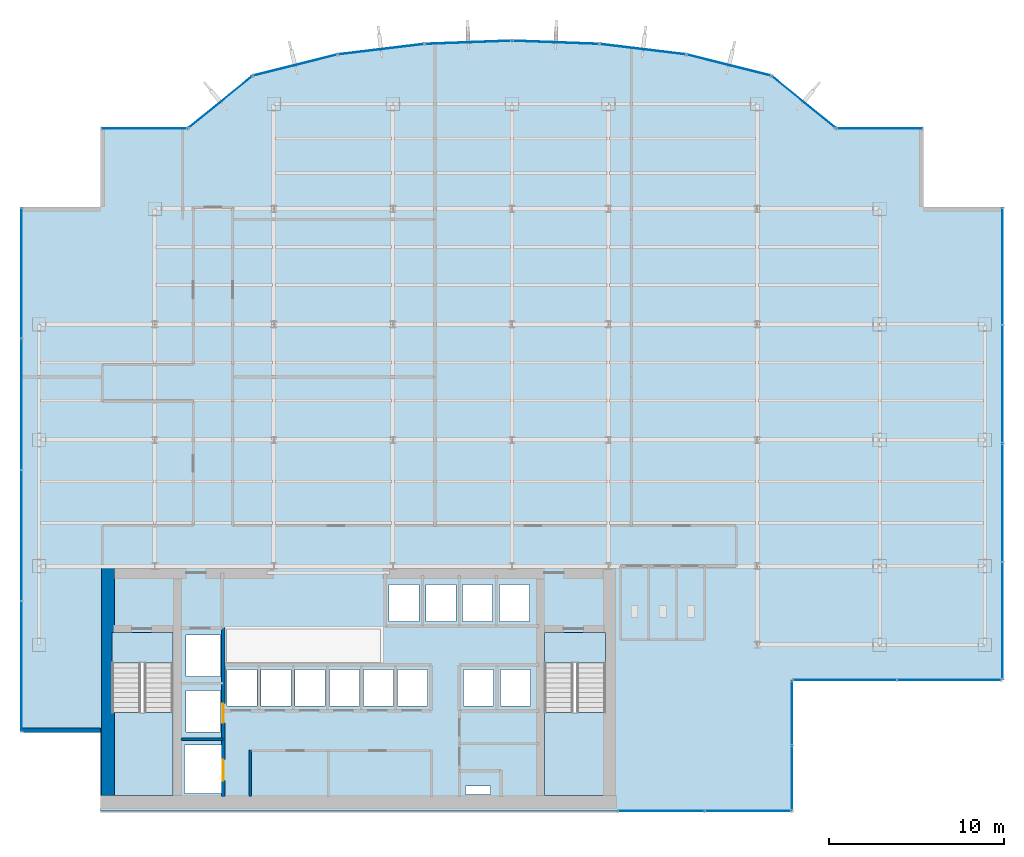
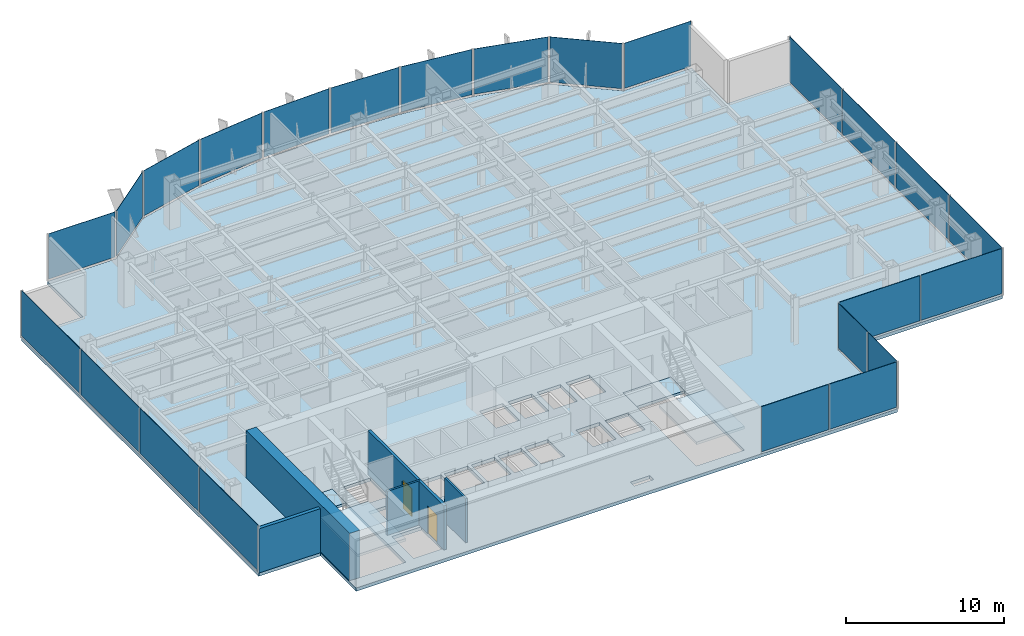
# One storey, part 20 of 26: 24 plates, 5 slabs, 5 walls, 2 doors, 2 openings, 17 elements without a shape of their own.
"""IFC4 building model written with IfcOpenShell, lengths in metres."""

from ifc_helpers import new_model, si_unit, derived_unit, direction, frame, frame_2d, origin, origin_2d, place, context, subcontext, project, spatial, polyline, rectangle, outline, extrude, source, transform, mapped, material, layer, layer_set, type_object, element, fill, aggregate, save


model = new_model("IFC4")

# Units and contexts
model_context = context("Model", 3, precision=1e-05, world=origin(), true_north=direction((0.0, 1.0)))
body_context = subcontext(model_context, "Body", "Model", "MODEL_VIEW")
ifc_project = project(units=[si_unit("LENGTHUNIT", "METRE"), si_unit("AREAUNIT", "SQUARE_METRE"), si_unit("VOLUMEUNIT", "CUBIC_METRE"), si_unit("PLANEANGLEUNIT", "RADIAN"), si_unit("MASSUNIT", "GRAM", prefix="KILO"), derived_unit("THERMALTRANSMITTANCEUNIT", [(si_unit("POWERUNIT", "WATT"), 1), (si_unit("LENGTHUNIT", "METRE"), -2), (si_unit("THERMODYNAMICTEMPERATUREUNIT", "KELVIN"), -1)])], contexts=[model_context])

# Site, building, storey
site_placement = place(None, origin())
site = spatial("IfcSite", under=ifc_project, at=site_placement, CompositionType="ELEMENT")
building_placement = place(site_placement, origin())
building = spatial("IfcBuilding", under=site, at=building_placement, Name="Skarnbrae Concourse Arena and Tower", CompositionType="ELEMENT")
storey_placement = place(building_placement, frame((0.0, 0.0, 125.14990234375)))
storey = spatial("IfcBuildingStorey", under=building, at=storey_placement, Name="L31", CompositionType="ELEMENT", Elevation=125.14990234375)

# Stair, slab
ifc_material_1 = material(Name="Concrete 40 MPa (C40/50)", Category="concrete")
stair_type = type_object("IfcStairType", Name="STAIR-DOGLEG-1650", PredefinedType="HALF_TURN_STAIR", material=ifc_material_1)
stair_1_placement = place(storey_placement, origin())
stair_1 = element("IfcStair", 1, at=stair_1_placement, inside=storey, type_object=stair_type, Name="L31 Protected Exit Stair ST-1", PredefinedType="HALF_TURN_STAIR")
ifc_layer_1 = layer(ifc_material_1, 0.199951171875)
ifc_layer_set_1 = layer_set([ifc_layer_1], Name="Concrete 40 MPa (C40/50)")
slab_type_1 = type_object("IfcSlabType", Name="SLAB-LANDING-200", PredefinedType="LANDING", material=ifc_layer_set_1)
slab_1_placement = place(storey_placement, frame((0.0, 0.0, 1.625)))
slab_1 = element("IfcSlab", 2, at=slab_1_placement, type_object=slab_type_1, Name="ST-1 landing 1", PredefinedType="LANDING", context=body_context, shape_type="SweptSolid", body=[
    extrude(outline(polyline([(5.14990234375, 5.64990234375), (5.14990234375, 0.89990234375), (8.64990234375, 0.89990234375), (8.64990234375, 5.64990234375), (5.14990234375, 5.64990234375)])), origin(), (0.0, 0.0, 1.0), 0.2001953125),
])
aggregate(stair_1, [slab_1])

stair_2_placement = place(storey_placement, origin())
stair_2 = element("IfcStair", 3, at=stair_2_placement, inside=storey, type_object=stair_type, Name="L31 Protected Exit Stair ST-2", PredefinedType="HALF_TURN_STAIR")
slab_2_placement = place(storey_placement, frame((0.0, 0.0, 1.625)))
slab_2 = element("IfcSlab", 4, at=slab_2_placement, type_object=slab_type_1, Name="ST-2 landing 1", PredefinedType="LANDING", context=body_context, shape_type="SweptSolid", body=[
    extrude(outline(polyline([(29.85009765625, 5.64990234375), (29.85009765625, 0.89990234375), (33.35009765625, 0.89990234375), (33.35009765625, 5.64990234375), (29.85009765625, 5.64990234375)])), origin(), (0.0, 0.0, 1.0), 0.2001953125),
])
aggregate(stair_2, [slab_2])

# Slabs
slab_3_placement = place(storey_placement, frame((0.0, 0.0, -0.199951171875)))
element("IfcSlab", 5, at=slab_3_placement, inside=storey, type_object=slab_type_1, Name="L31 Core stair ST1 floor landing", PredefinedType="LANDING", context=body_context, shape_type="SweptSolid", body=[
    extrude(outline(polyline([(5.14990234375, 10.199951171875), (5.14990234375, 8.449951171875), (8.64990234375, 8.449951171875), (8.64990234375, 10.199951171875), (5.14990234375, 10.199951171875)])), origin(), (0.0, 0.0, 1.0), 0.199951171875),
])
slab_4_placement = place(storey_placement, frame((0.0, 0.0, -0.199951171875)))
element("IfcSlab", 6, at=slab_4_placement, inside=storey, type_object=slab_type_1, Name="L31 Core stair ST2 floor landing", PredefinedType="LANDING", context=body_context, shape_type="SweptSolid", body=[
    extrude(outline(polyline([(29.85009765625, 10.199951171875), (29.85009765625, 8.449951171875), (33.35009765625, 8.449951171875), (33.35009765625, 10.199951171875), (29.85009765625, 10.199951171875)])), origin(), (0.0, 0.0, 1.0), 0.199951171875),
])
ifc_layer_2 = layer(ifc_material_1, 0.25)
ifc_layer_set_2 = layer_set([ifc_layer_2], Name="Concrete 40 MPa (C40/50)")
slab_type_2 = type_object("IfcSlabType", Name="SLAB-TOWER-250", PredefinedType="FLOOR", material=ifc_layer_set_2)
slab_5_placement = place(storey_placement, frame((0.0, 0.0, -0.25)))
element("IfcSlab", 7, at=slab_5_placement, inside=storey, type_object=slab_type_2, Name="L31 Structural floor slab", PredefinedType="FLOOR", context=body_context, shape_type="SweptSolid", body=[
    extrude(outline(polyline([(4.5, 0.0), (44.0, 0.0), (44.0, 7.5), (56.0, 7.5), (56.0, 34.5), (51.5, 34.5), (51.5, 39.0), (46.5, 39.0), (42.81103515625, 41.99609375), (37.964111328125, 43.212890625), (32.998779296875, 43.81396484375), (28.0, 44.0), (23.001220703125, 43.81396484375), (18.035888671875, 43.212890625), (13.18896484375, 41.99609375), (9.5, 39.0), (4.5, 39.0), (4.5, 34.5), (0.0, 34.5), (0.0, 4.5), (4.5, 4.5), (4.5, 0.0)]), holes=[polyline([(9.294921875, 3.780029296875), (11.455078125, 3.780029296875), (11.455078125, 1.02001953125), (9.294921875, 1.02001953125), (9.294921875, 3.780029296875)]), polyline([(8.64990234375, 10.199951171875), (8.64990234375, 0.89990234375), (5.14990234375, 0.89990234375), (5.14990234375, 10.199951171875), (8.64990234375, 10.199951171875)]), polyline([(9.39501953125, 6.8798828125), (11.35498046875, 6.8798828125), (11.35498046875, 4.52001953125), (9.39501953125, 4.52001953125), (9.39501953125, 6.8798828125)]), polyline([(11.719970703125, 8.10498046875), (13.429931640625, 8.10498046875), (13.429931640625, 5.9951171875), (11.719970703125, 5.9951171875), (11.719970703125, 8.10498046875)]), polyline([(13.669921875, 8.10498046875), (15.3798828125, 8.10498046875), (15.3798828125, 5.9951171875), (13.669921875, 5.9951171875), (13.669921875, 8.10498046875)]), polyline([(15.6201171875, 8.10498046875), (17.330078125, 8.10498046875), (17.330078125, 5.9951171875), (15.6201171875, 5.9951171875), (15.6201171875, 8.10498046875)]), polyline([(17.570068359375, 8.10498046875), (19.280029296875, 8.10498046875), (19.280029296875, 5.9951171875), (17.570068359375, 5.9951171875), (17.570068359375, 8.10498046875)]), polyline([(21.22998046875, 8.10498046875), (21.22998046875, 5.9951171875), (19.52001953125, 5.9951171875), (19.52001953125, 8.10498046875), (21.22998046875, 8.10498046875)]), polyline([(11.35498046875, 10.054931640625), (11.35498046875, 7.695068359375), (9.39501953125, 7.695068359375), (9.39501953125, 10.054931640625), (11.35498046875, 10.054931640625)]), polyline([(25.35009765625, 1.449951171875), (26.760009765625, 1.449951171875), (26.760009765625, 0.949951171875), (25.35009765625, 0.949951171875), (25.35009765625, 1.449951171875)]), polyline([(33.35009765625, 10.199951171875), (33.35009765625, 0.89990234375), (29.85009765625, 0.89990234375), (29.85009765625, 10.199951171875), (33.35009765625, 10.199951171875)]), polyline([(21.469970703125, 8.10498046875), (23.179931640625, 8.10498046875), (23.179931640625, 5.9951171875), (21.469970703125, 5.9951171875), (21.469970703125, 8.10498046875)]), polyline([(25.235107421875, 8.10498046875), (26.945068359375, 8.10498046875), (26.945068359375, 5.9951171875), (25.235107421875, 5.9951171875), (25.235107421875, 8.10498046875)]), polyline([(27.3349609375, 8.10498046875), (29.044921875, 8.10498046875), (29.044921875, 5.9951171875), (27.3349609375, 5.9951171875), (27.3349609375, 8.10498046875)]), polyline([(20.985107421875, 12.955078125), (22.695068359375, 12.955078125), (22.695068359375, 10.844970703125), (20.985107421875, 10.844970703125), (20.985107421875, 12.955078125)]), polyline([(23.0849609375, 12.955078125), (24.794921875, 12.955078125), (24.794921875, 10.844970703125), (23.0849609375, 10.844970703125), (23.0849609375, 12.955078125)]), polyline([(26.89501953125, 12.955078125), (26.89501953125, 10.844970703125), (25.18505859375, 10.844970703125), (25.18505859375, 12.955078125), (26.89501953125, 12.955078125)]), polyline([(28.9951171875, 12.955078125), (28.9951171875, 10.844970703125), (27.284912109375, 10.844970703125), (27.284912109375, 12.955078125), (28.9951171875, 12.955078125)])]), origin(), (0.0, 0.0, 1.0), 0.25),
])

# Curtain wall, plates
ifc_material_2 = material(Name="Bronze anodised aluminium 6063-T6", Category="aluminium")
curtain_wall_type = type_object("IfcCurtainWallType", Name="CW-SYS-04-MIDZONE", PredefinedType="USERDEFINED", material=ifc_material_2)
curtain_wall_1_placement = place(storey_placement, origin())
curtain_wall_1 = element("IfcCurtainWall", 8, at=curtain_wall_1_placement, inside=storey, type_object=curtain_wall_type, Name="L31 Unitised curtain wall CW-L31-SE-SPINE", ObjectType="UNITISED CURTAIN WALL", PredefinedType="USERDEFINED")
ifc_material_3 = material(Name="Low-E triple insulating glass", Category="glass")
ifc_layer_3 = layer(ifc_material_3, 0.031982421875)
ifc_layer_set_3 = layer_set([ifc_layer_3], Name="Low-E triple insulating glass")
plate_type = type_object("IfcPlateType", Name="CWP-CW-04", PredefinedType="CURTAIN_PANEL", material=ifc_layer_set_3)
shared_shape_1 = source(origin(), body_context, "Body", "SweptSolid", [
    extrude(rectangle(XDim=4.887451171875, YDim=0.031982421875, at=origin_2d()), origin(), (0.0, 0.0, 1.0), 3.489990234375),
])
plate_1_placement = place(storey_placement, frame((36.518798828125, 0.0, 0.16015625), z_axis=(0.0, 0.0, 1.0), x_axis=(1.0, 0.0, 0.0)))
plate_1 = element("IfcPlate", 9, at=plate_1_placement, type_object=plate_type, Name="CW-L31-SE-SPINE Low-E Glazing Panel 1", PredefinedType="CURTAIN_PANEL", context=body_context, shape_type="MappedRepresentation", body=[
    mapped(shared_shape_1, transform((0.0, 0.0, 0.0))),
])
plate_2_placement = place(storey_placement, frame((41.481201171875, 0.0, 0.16015625), z_axis=(0.0, 0.0, 1.0), x_axis=(1.0, 0.0, 0.0)))
plate_2 = element("IfcPlate", 10, at=plate_2_placement, type_object=plate_type, Name="CW-L31-SE-SPINE Low-E Glazing Panel 2", PredefinedType="CURTAIN_PANEL", context=body_context, shape_type="MappedRepresentation", body=[
    mapped(shared_shape_1, transform((0.0, 0.0, 0.0))),
])
aggregate(curtain_wall_1, [plate_1, plate_2])

curtain_wall_2_placement = place(storey_placement, origin())
curtain_wall_2 = element("IfcCurtainWall", 11, at=curtain_wall_2_placement, inside=storey, type_object=curtain_wall_type, Name="L31 Unitised curtain wall CW-L31-E02", ObjectType="UNITISED CURTAIN WALL", PredefinedType="USERDEFINED")
shared_shape_2 = source(origin(), body_context, "Body", "SweptSolid", [
    extrude(rectangle(XDim=3.637451171875, YDim=0.031982421875, at=origin_2d()), origin(), (0.0, 0.0, 1.0), 3.489990234375),
])
plate_3_placement = place(storey_placement, frame((44.0, 1.893798828125, 0.16015625), z_axis=(0.0, 0.0, 1.0), x_axis=(0.0, 1.0, 0.0)))
plate_3 = element("IfcPlate", 12, at=plate_3_placement, type_object=plate_type, Name="CW-L31-E02 Low-E Glazing Panel 1", PredefinedType="CURTAIN_PANEL", context=body_context, shape_type="MappedRepresentation", body=[
    mapped(shared_shape_2, transform((0.0, 0.0, 0.0))),
])
plate_4_placement = place(storey_placement, frame((44.0, 5.606201171875, 0.16015625), z_axis=(0.0, 0.0, 1.0), x_axis=(0.0, 1.0, 0.0)))
plate_4 = element("IfcPlate", 13, at=plate_4_placement, type_object=plate_type, Name="CW-L31-E02 Low-E Glazing Panel 2", PredefinedType="CURTAIN_PANEL", context=body_context, shape_type="MappedRepresentation", body=[
    mapped(shared_shape_2, transform((0.0, 0.0, 0.0))),
])
aggregate(curtain_wall_2, [plate_3, plate_4])

curtain_wall_3_placement = place(storey_placement, origin())
curtain_wall_3 = element("IfcCurtainWall", 14, at=curtain_wall_3_placement, inside=storey, type_object=curtain_wall_type, Name="L31 Unitised curtain wall CW-L31-E03", ObjectType="UNITISED CURTAIN WALL", PredefinedType="USERDEFINED")
shared_shape_3 = source(origin(), body_context, "Body", "SweptSolid", [
    extrude(rectangle(XDim=5.887451171875, YDim=0.031982421875, at=origin_2d()), origin(), (0.0, 0.0, 1.0), 3.489990234375),
])
plate_5_placement = place(storey_placement, frame((47.018798828125, 7.5, 0.16015625), z_axis=(0.0, 0.0, 1.0), x_axis=(1.0, 0.0, 0.0)))
plate_5 = element("IfcPlate", 15, at=plate_5_placement, type_object=plate_type, Name="CW-L31-E03 Low-E Glazing Panel 1", PredefinedType="CURTAIN_PANEL", context=body_context, shape_type="MappedRepresentation", body=[
    mapped(shared_shape_3, transform((0.0, 0.0, 0.0))),
])
plate_6_placement = place(storey_placement, frame((52.981201171875, 7.5, 0.16015625), z_axis=(0.0, 0.0, 1.0), x_axis=(1.0, 0.0, 0.0)))
plate_6 = element("IfcPlate", 16, at=plate_6_placement, type_object=plate_type, Name="CW-L31-E03 Low-E Glazing Panel 2", PredefinedType="CURTAIN_PANEL", context=body_context, shape_type="MappedRepresentation", body=[
    mapped(shared_shape_3, transform((0.0, 0.0, 0.0))),
])
aggregate(curtain_wall_3, [plate_5, plate_6])

# Curtain wall, plate
curtain_wall_4_placement = place(storey_placement, origin())
curtain_wall_4 = element("IfcCurtainWall", 17, at=curtain_wall_4_placement, inside=storey, type_object=curtain_wall_type, Name="L31 Unitised curtain wall CW-L31-E07", ObjectType="UNITISED CURTAIN WALL", PredefinedType="USERDEFINED")
shared_shape_4 = source(origin(), body_context, "Body", "SweptSolid", [
    extrude(rectangle(XDim=4.85009765625, YDim=0.031982421875, at=origin_2d()), origin(), (0.0, 0.0, 1.0), 3.489990234375),
])
plate_7_placement = place(storey_placement, frame((49.0, 39.0, 0.16015625), z_axis=(0.0, 0.0, 1.0), x_axis=(-1.0, 0.0, 0.0)))
plate_7 = element("IfcPlate", 18, at=plate_7_placement, type_object=plate_type, Name="CW-L31-E07 Low-E Glazing Panel 1", PredefinedType="CURTAIN_PANEL", context=body_context, shape_type="MappedRepresentation", body=[
    mapped(shared_shape_4, transform((0.0, 0.0, 0.0))),
])
aggregate(curtain_wall_4, [plate_7])

curtain_wall_5_placement = place(storey_placement, origin())
curtain_wall_5 = element("IfcCurtainWall", 19, at=curtain_wall_5_placement, inside=storey, type_object=curtain_wall_type, Name="L31 Unitised curtain wall CW-L31-E16", ObjectType="UNITISED CURTAIN WALL", PredefinedType="USERDEFINED")
plate_8_placement = place(storey_placement, frame((7.0, 39.0, 0.16015625), z_axis=(0.0, 0.0, 1.0), x_axis=(-1.0, 0.0, 0.0)))
plate_8 = element("IfcPlate", 20, at=plate_8_placement, type_object=plate_type, Name="CW-L31-E16 Low-E Glazing Panel 1", PredefinedType="CURTAIN_PANEL", context=body_context, shape_type="MappedRepresentation", body=[
    mapped(shared_shape_4, transform((0.0, 0.0, 0.0))),
])
aggregate(curtain_wall_5, [plate_8])

curtain_wall_6_placement = place(storey_placement, origin())
curtain_wall_6 = element("IfcCurtainWall", 21, at=curtain_wall_6_placement, inside=storey, type_object=curtain_wall_type, Name="L31 Unitised curtain wall CW-L31-E08", ObjectType="UNITISED CURTAIN WALL", PredefinedType="USERDEFINED")
shared_shape_5 = source(origin(), body_context, "Body", "SweptSolid", [
    extrude(rectangle(XDim=4.602294921875, YDim=0.031982421875, at=origin_2d()), origin(), (0.0, 0.0, 1.0), 3.489990234375),
])
plate_9_placement = place(storey_placement, frame((44.655517578125, 40.498046875, 0.16015625), z_axis=(0.0, 0.0, 1.0), x_axis=(-0.776241200471, 0.630436038542, 0.0)))
plate_9 = element("IfcPlate", 22, at=plate_9_placement, type_object=plate_type, Name="CW-L31-E08 Low-E Glazing Panel 1", PredefinedType="CURTAIN_PANEL", context=body_context, shape_type="MappedRepresentation", body=[
    mapped(shared_shape_5, transform((0.0, 0.0, 0.0))),
])
aggregate(curtain_wall_6, [plate_9])

curtain_wall_7_placement = place(storey_placement, origin())
curtain_wall_7 = element("IfcCurtainWall", 23, at=curtain_wall_7_placement, inside=storey, type_object=curtain_wall_type, Name="L31 Unitised curtain wall CW-L31-E15", ObjectType="UNITISED CURTAIN WALL", PredefinedType="USERDEFINED")
plate_10_placement = place(storey_placement, frame((11.344482421875, 40.498046875, 0.16015625), z_axis=(0.0, 0.0, 1.0), x_axis=(-0.776241200471, -0.630436038542, 0.0)))
plate_10 = element("IfcPlate", 24, at=plate_10_placement, type_object=plate_type, Name="CW-L31-E15 Low-E Glazing Panel 1", PredefinedType="CURTAIN_PANEL", context=body_context, shape_type="MappedRepresentation", body=[
    mapped(shared_shape_5, transform((0.0, 0.0, 0.0))),
])
aggregate(curtain_wall_7, [plate_10])

curtain_wall_8_placement = place(storey_placement, origin())
curtain_wall_8 = element("IfcCurtainWall", 25, at=curtain_wall_8_placement, inside=storey, type_object=curtain_wall_type, Name="L31 Unitised curtain wall CW-L31-E09", ObjectType="UNITISED CURTAIN WALL", PredefinedType="USERDEFINED")
shared_shape_6 = source(origin(), body_context, "Body", "SweptSolid", [
    extrude(rectangle(XDim=4.847412109375, YDim=0.031982421875, at=origin_2d()), origin(), (0.0, 0.0, 1.0), 3.489990234375),
])
plate_11_placement = place(storey_placement, frame((40.3876953125, 42.6044921875, 0.16015625), z_axis=(0.0, 0.0, 1.0), x_axis=(-0.969903046166, 0.243491439351, 0.0)))
plate_11 = element("IfcPlate", 26, at=plate_11_placement, type_object=plate_type, Name="CW-L31-E09 Low-E Glazing Panel 1", PredefinedType="CURTAIN_PANEL", context=body_context, shape_type="MappedRepresentation", body=[
    mapped(shared_shape_6, transform((0.0, 0.0, 0.0))),
])
aggregate(curtain_wall_8, [plate_11])

curtain_wall_9_placement = place(storey_placement, origin())
curtain_wall_9 = element("IfcCurtainWall", 27, at=curtain_wall_9_placement, inside=storey, type_object=curtain_wall_type, Name="L31 Unitised curtain wall CW-L31-E14", ObjectType="UNITISED CURTAIN WALL", PredefinedType="USERDEFINED")
plate_12_placement = place(storey_placement, frame((15.6123046875, 42.6044921875, 0.16015625), z_axis=(0.0, 0.0, 1.0), x_axis=(-0.969903046166, -0.243491439351, 0.0)))
plate_12 = element("IfcPlate", 28, at=plate_12_placement, type_object=plate_type, Name="CW-L31-E14 Low-E Glazing Panel 1", PredefinedType="CURTAIN_PANEL", context=body_context, shape_type="MappedRepresentation", body=[
    mapped(shared_shape_6, transform((0.0, 0.0, 0.0))),
])
aggregate(curtain_wall_9, [plate_12])

curtain_wall_10_placement = place(storey_placement, origin())
curtain_wall_10 = element("IfcCurtainWall", 29, at=curtain_wall_10_placement, inside=storey, type_object=curtain_wall_type, Name="L31 Unitised curtain wall CW-L31-E10", ObjectType="UNITISED CURTAIN WALL", PredefinedType="USERDEFINED")
shared_shape_7 = source(origin(), body_context, "Body", "SweptSolid", [
    extrude(rectangle(XDim=4.8515625, YDim=0.031982421875, at=origin_2d()), origin(), (0.0, 0.0, 1.0), 3.489990234375),
])
plate_13_placement = place(storey_placement, frame((35.4814453125, 43.513427734375, 0.16015625), z_axis=(0.0, 0.0, 1.0), x_axis=(-0.992749371969, 0.120202680731, 0.0)))
plate_13 = element("IfcPlate", 30, at=plate_13_placement, type_object=plate_type, Name="CW-L31-E10 Low-E Glazing Panel 1", PredefinedType="CURTAIN_PANEL", context=body_context, shape_type="MappedRepresentation", body=[
    mapped(shared_shape_7, transform((0.0, 0.0, 0.0))),
])
aggregate(curtain_wall_10, [plate_13])

curtain_wall_11_placement = place(storey_placement, origin())
curtain_wall_11 = element("IfcCurtainWall", 31, at=curtain_wall_11_placement, inside=storey, type_object=curtain_wall_type, Name="L31 Unitised curtain wall CW-L31-E13", ObjectType="UNITISED CURTAIN WALL", PredefinedType="USERDEFINED")
plate_14_placement = place(storey_placement, frame((20.5185546875, 43.513427734375, 0.16015625), z_axis=(0.0, 0.0, 1.0), x_axis=(-0.992749371969, -0.120202680731, 0.0)))
plate_14 = element("IfcPlate", 32, at=plate_14_placement, type_object=plate_type, Name="CW-L31-E13 Low-E Glazing Panel 1", PredefinedType="CURTAIN_PANEL", context=body_context, shape_type="MappedRepresentation", body=[
    mapped(shared_shape_7, transform((0.0, 0.0, 0.0))),
])
aggregate(curtain_wall_11, [plate_14])

curtain_wall_12_placement = place(storey_placement, origin())
curtain_wall_12 = element("IfcCurtainWall", 33, at=curtain_wall_12_placement, inside=storey, type_object=curtain_wall_type, Name="L31 Unitised curtain wall CW-L31-E11", ObjectType="UNITISED CURTAIN WALL", PredefinedType="USERDEFINED")
shared_shape_8 = source(origin(), body_context, "Body", "SweptSolid", [
    extrude(rectangle(XDim=4.852294921875, YDim=0.031982421875, at=origin_2d()), origin(), (0.0, 0.0, 1.0), 3.489990234375),
])
plate_15_placement = place(storey_placement, frame((30.49951171875, 43.906982421875, 0.16015625), z_axis=(0.0, 0.0, 1.0), x_axis=(-0.999308486252, 0.037182647889, 0.0)))
plate_15 = element("IfcPlate", 34, at=plate_15_placement, type_object=plate_type, Name="CW-L31-E11 Low-E Glazing Panel 1", PredefinedType="CURTAIN_PANEL", context=body_context, shape_type="MappedRepresentation", body=[
    mapped(shared_shape_8, transform((0.0, 0.0, 0.0))),
])
aggregate(curtain_wall_12, [plate_15])

curtain_wall_13_placement = place(storey_placement, origin())
curtain_wall_13 = element("IfcCurtainWall", 35, at=curtain_wall_13_placement, inside=storey, type_object=curtain_wall_type, Name="L31 Unitised curtain wall CW-L31-E12", ObjectType="UNITISED CURTAIN WALL", PredefinedType="USERDEFINED")
plate_16_placement = place(storey_placement, frame((25.50048828125, 43.906982421875, 0.16015625), z_axis=(0.0, 0.0, 1.0), x_axis=(-0.999308486252, -0.037182647889, 0.0)))
plate_16 = element("IfcPlate", 36, at=plate_16_placement, type_object=plate_type, Name="CW-L31-E12 Low-E Glazing Panel 1", PredefinedType="CURTAIN_PANEL", context=body_context, shape_type="MappedRepresentation", body=[
    mapped(shared_shape_8, transform((0.0, 0.0, 0.0))),
])
aggregate(curtain_wall_13, [plate_16])

# Curtain wall, plates
curtain_wall_14_placement = place(storey_placement, origin())
curtain_wall_14 = element("IfcCurtainWall", 37, at=curtain_wall_14_placement, inside=storey, type_object=curtain_wall_type, Name="L31 Unitised curtain wall CW-L31-E19", ObjectType="UNITISED CURTAIN WALL", PredefinedType="USERDEFINED")
shared_shape_9 = source(origin(), body_context, "Body", "SweptSolid", [
    extrude(rectangle(XDim=7.387451171875, YDim=0.031982421875, at=origin_2d()), origin(), (0.0, 0.0, 1.0), 3.489990234375),
])
plate_17_placement = place(storey_placement, frame((0.0, 30.731201171875, 0.16015625), z_axis=(0.0, 0.0, 1.0), x_axis=(0.0, -1.0, 0.0)))
plate_17 = element("IfcPlate", 38, at=plate_17_placement, type_object=plate_type, Name="CW-L31-E19 Low-E Glazing Panel 1", PredefinedType="CURTAIN_PANEL", context=body_context, shape_type="MappedRepresentation", body=[
    mapped(shared_shape_9, transform((0.0, 0.0, 0.0))),
])
plate_18_placement = place(storey_placement, frame((0.0, 8.268798828125, 0.16015625), z_axis=(0.0, 0.0, 1.0), x_axis=(0.0, -1.0, 0.0)))
plate_18 = element("IfcPlate", 39, at=plate_18_placement, type_object=plate_type, Name="CW-L31-E19 Low-E Glazing Panel 4", PredefinedType="CURTAIN_PANEL", context=body_context, shape_type="MappedRepresentation", body=[
    mapped(shared_shape_9, transform((0.0, 0.0, 0.0))),
])
shared_shape_10 = source(origin(), body_context, "Body", "SweptSolid", [
    extrude(rectangle(XDim=7.425048828125, YDim=0.031982421875, at=origin_2d()), origin(), (0.0, 0.0, 1.0), 3.489990234375),
])
plate_19_placement = place(storey_placement, frame((0.0, 23.25, 0.16015625), z_axis=(0.0, 0.0, 1.0), x_axis=(0.0, -1.0, 0.0)))
plate_19 = element("IfcPlate", 40, at=plate_19_placement, type_object=plate_type, Name="CW-L31-E19 Low-E Glazing Panel 2", PredefinedType="CURTAIN_PANEL", context=body_context, shape_type="MappedRepresentation", body=[
    mapped(shared_shape_10, transform((0.0, 0.0, 0.0))),
])
plate_20_placement = place(storey_placement, frame((0.0, 15.75, 0.16015625), z_axis=(0.0, 0.0, 1.0), x_axis=(0.0, -1.0, 0.0)))
plate_20 = element("IfcPlate", 41, at=plate_20_placement, type_object=plate_type, Name="CW-L31-E19 Low-E Glazing Panel 3", PredefinedType="CURTAIN_PANEL", context=body_context, shape_type="MappedRepresentation", body=[
    mapped(shared_shape_10, transform((0.0, 0.0, 0.0))),
])
aggregate(curtain_wall_14, [plate_17, plate_19, plate_20, plate_18])

curtain_wall_15_placement = place(storey_placement, origin())
curtain_wall_15 = element("IfcCurtainWall", 42, at=curtain_wall_15_placement, inside=storey, type_object=curtain_wall_type, Name="L31 Unitised curtain wall CW-L31-E04", ObjectType="UNITISED CURTAIN WALL", PredefinedType="USERDEFINED")
shared_shape_11 = source(origin(), body_context, "Body", "SweptSolid", [
    extrude(rectangle(XDim=6.637451171875, YDim=0.031982421875, at=origin_2d()), origin(), (0.0, 0.0, 1.0), 3.489990234375),
])
plate_21_placement = place(storey_placement, frame((56.0, 10.893798828125, 0.16015625), z_axis=(0.0, 0.0, 1.0), x_axis=(0.0, 1.0, 0.0)))
plate_21 = element("IfcPlate", 43, at=plate_21_placement, type_object=plate_type, Name="CW-L31-E04 Low-E Glazing Panel 1", PredefinedType="CURTAIN_PANEL", context=body_context, shape_type="MappedRepresentation", body=[
    mapped(shared_shape_11, transform((0.0, 0.0, 0.0))),
])
plate_22_placement = place(storey_placement, frame((56.0, 31.106201171875, 0.16015625), z_axis=(0.0, 0.0, 1.0), x_axis=(0.0, 1.0, 0.0)))
plate_22 = element("IfcPlate", 44, at=plate_22_placement, type_object=plate_type, Name="CW-L31-E04 Low-E Glazing Panel 4", PredefinedType="CURTAIN_PANEL", context=body_context, shape_type="MappedRepresentation", body=[
    mapped(shared_shape_11, transform((0.0, 0.0, 0.0))),
])
shared_shape_12 = source(origin(), body_context, "Body", "SweptSolid", [
    extrude(rectangle(XDim=6.675048828125, YDim=0.031982421875, at=origin_2d()), origin(), (0.0, 0.0, 1.0), 3.489990234375),
])
plate_23_placement = place(storey_placement, frame((56.0, 17.625, 0.16015625), z_axis=(0.0, 0.0, 1.0), x_axis=(0.0, 1.0, 0.0)))
plate_23 = element("IfcPlate", 45, at=plate_23_placement, type_object=plate_type, Name="CW-L31-E04 Low-E Glazing Panel 2", PredefinedType="CURTAIN_PANEL", context=body_context, shape_type="MappedRepresentation", body=[
    mapped(shared_shape_12, transform((0.0, 0.0, 0.0))),
])
plate_24_placement = place(storey_placement, frame((56.0, 24.375, 0.16015625), z_axis=(0.0, 0.0, 1.0), x_axis=(0.0, 1.0, 0.0)))
plate_24 = element("IfcPlate", 46, at=plate_24_placement, type_object=plate_type, Name="CW-L31-E04 Low-E Glazing Panel 3", PredefinedType="CURTAIN_PANEL", context=body_context, shape_type="MappedRepresentation", body=[
    mapped(shared_shape_12, transform((0.0, 0.0, 0.0))),
])
aggregate(curtain_wall_15, [plate_21, plate_23, plate_24, plate_22])

# Walls
ifc_material_4 = material(Name="Concrete 60 MPa (C60/75)", Category="concrete")
ifc_layer_4 = layer(ifc_material_4, 0.75)
ifc_layer_set_4 = layer_set([ifc_layer_4], Name="Concrete 60 MPa (C60/75)")
wall_type_1 = type_object("IfcWallType", Name="WALL-CORE-750-C60", PredefinedType="SHEAR", material=ifc_layer_set_4)
shared_shape_13 = source(origin(), body_context, "Body", "SweptSolid", [
    extrude(rectangle(XDim=13.10009765625, YDim=0.75, at=frame_2d((6.550048828125, 0.0))), origin(), (0.0, 0.0, 1.0), 3.650146484375),
])
wall_1_placement = place(storey_placement, frame((4.925048828125, 0.89990234375, 0.0), z_axis=(0.0, 0.0, 1.0), x_axis=(0.0, 1.0, 0.0)))
element("IfcWall", 47, at=wall_1_placement, inside=storey, type_object=wall_type_1, Name="L31 Rear core shear wall CW-W", PredefinedType="SHEAR", context=body_context, shape_type="MappedRepresentation", body=[
    mapped(shared_shape_13, transform((0.0, 0.0, 0.0))),
])
ifc_material_5 = material(Name="Precast concrete 40 MPa (C40/50)", Category="concrete")
ifc_layer_5 = layer(ifc_material_5, 0.25)
ifc_layer_set_5 = layer_set([ifc_layer_5], Name="Precast concrete 40 MPa (C40/50)")
wall_type_2 = type_object("IfcWallType", Name="WALL-EXT-SPANDREL-250", PredefinedType="STANDARD", material=ifc_layer_set_5)
shared_shape_14 = source(origin(), body_context, "Body", "SweptSolid", [
    extrude(rectangle(XDim=4.5, YDim=0.25, at=frame_2d((2.25, 0.0))), origin(), (0.0, 0.0, 1.0), 3.400146484375),
])
wall_2_placement = place(storey_placement, frame((0.0, 4.625, 0.0), z_axis=(0.0, 0.0, 1.0), x_axis=(1.0, 0.0, 0.0)))
element("IfcWall", 48, at=wall_2_placement, inside=storey, type_object=wall_type_2, Name="L31 Notched corner insulated return wall 20", PredefinedType="STANDARD", context=body_context, shape_type="MappedRepresentation", body=[
    mapped(shared_shape_14, transform((0.0, 0.0, 0.0))),
])

# Wall, openings, doors
ifc_material_6 = material(Name="Gypsum board on cold-formed steel studs", Category="steel")
ifc_layer_6 = layer(ifc_material_6, 0.199951171875)
ifc_layer_set_6 = layer_set([ifc_layer_6], Name="Gypsum board on cold-formed steel studs")
wall_type_3 = type_object("IfcWallType", Name="WALL-PART-200-2HR", PredefinedType="PARTITIONING", material=ifc_layer_set_6)
shared_shape_15 = source(origin(), body_context, "Body", "SweptSolid", [
    extrude(rectangle(XDim=9.599853515625, YDim=0.199951171875, at=frame_2d((4.7998046875, 0.0))), origin(), (0.0, 0.0, 1.0), 3.400146484375),
])
wall_3_placement = place(storey_placement, frame((11.5, 0.85009765625, 0.0), z_axis=(0.0, 0.0, 1.0), x_axis=(0.0, 1.0, 0.0)))
wall_3 = element("IfcWall", 49, at=wall_3_placement, inside=storey, type_object=wall_type_3, Name="L31 Interior partition wall W-L31-FL-E", PredefinedType="PARTITIONING", context=body_context, shape_type="MappedRepresentation", body=[
    mapped(shared_shape_15, transform((0.0, 0.0, 0.0))),
])
opening_1_placement = place(wall_3_placement, frame((4.199951171875, 0.0, 0.0)))
opening_1 = element("IfcOpeningElement", 50, at=opening_1_placement, cuts=wall_3, Name="Opening LD-01", PredefinedType="OPENING", context=body_context, shape_type="SweptSolid", body=[
    extrude(rectangle(XDim=1.10009765625, YDim=2.14990234375, at=frame_2d((0.550048828125, 1.074951171875))), frame((0.0, 0.10986328125, 0.0), z_axis=(0.0, -1.0, 0.0), x_axis=(1.0, 0.0, 0.0)), (0.0, 0.0, 1.0), 0.219970703125),
])
opening_2_placement = place(wall_3_placement, frame((0.89990234375, 0.0, 0.0)))
opening_2 = element("IfcOpeningElement", 51, at=opening_2_placement, cuts=wall_3, Name="Opening LD-02", PredefinedType="OPENING", context=body_context, shape_type="SweptSolid", body=[
    extrude(rectangle(XDim=1.199951171875, YDim=2.14990234375, at=frame_2d((0.60009765625, 1.074951171875))), frame((0.0, 0.10986328125, 0.0), z_axis=(0.0, -1.0, 0.0), x_axis=(1.0, 0.0, 0.0)), (0.0, 0.0, 1.0), 0.219970703125),
])
ifc_material_7 = material(Name="Steel CSA G40.21 350W", Category="steel")
door_type_1 = type_object("IfcDoorType", Name="DOOR-LIFT-SLIDE-1100", OperationType="SLIDING_TO_LEFT", PredefinedType="DOOR", material=ifc_material_7)
shared_shape_16 = source(origin(), body_context, "Body", "SweptSolid", [
    extrude(rectangle(XDim=1.10009765625, YDim=2.14990234375, at=frame_2d((0.550048828125, 1.074951171875))), frame((0.0, 0.02490234375, 0.0), z_axis=(0.0, -1.0, 0.0), x_axis=(1.0, 0.0, 0.0)), (0.0, 0.0, 1.0), 0.050048828125),
])
door_1_placement = place(opening_1_placement, frame((1.10009765625, 0.0, 0.0), z_axis=(0.0, 0.0, 1.0), x_axis=(-1.0, 0.0, 0.0)))
door_1 = element("IfcDoor", 52, at=door_1_placement, inside=storey, type_object=door_type_1, Name="D-1006 Firefighting Lift Landing Door FL-02", OperationType="SLIDING_TO_LEFT", OverallHeight=2.14990234375, OverallWidth=1.10009765625, PredefinedType="DOOR", context=body_context, shape_type="MappedRepresentation", body=[
    mapped(shared_shape_16, transform((0.0, 0.0, 0.0))),
])
fill(opening_1, door_1)
door_type_2 = type_object("IfcDoorType", Name="DOOR-LIFT-SLIDE-1200", OperationType="SLIDING_TO_LEFT", PredefinedType="DOOR", material=ifc_material_7)
shared_shape_17 = source(origin(), body_context, "Body", "SweptSolid", [
    extrude(rectangle(XDim=1.199951171875, YDim=2.14990234375, at=frame_2d((0.60009765625, 1.074951171875))), frame((0.0, 0.02490234375, 0.0), z_axis=(0.0, -1.0, 0.0), x_axis=(1.0, 0.0, 0.0)), (0.0, 0.0, 1.0), 0.050048828125),
])
door_2_placement = place(opening_2_placement, frame((1.199951171875, 0.0, 0.0), z_axis=(0.0, 0.0, 1.0), x_axis=(-1.0, 0.0, 0.0)))
door_2 = element("IfcDoor", 53, at=door_2_placement, inside=storey, type_object=door_type_2, Name="D-1007 Service Lift Landing Door SV-01", OperationType="SLIDING_TO_LEFT", OverallHeight=2.14990234375, OverallWidth=1.199951171875, PredefinedType="DOOR", context=body_context, shape_type="MappedRepresentation", body=[
    mapped(shared_shape_17, transform((0.0, 0.0, 0.0))),
])
fill(opening_2, door_2)

# Walls
ifc_layer_7 = layer(ifc_material_6, 0.14990234375)
ifc_layer_set_7 = layer_set([ifc_layer_7], Name="Gypsum board on cold-formed steel studs")
wall_type_4 = type_object("IfcWallType", Name="WALL-PART-150", PredefinedType="PARTITIONING", material=ifc_layer_set_7)
shared_shape_18 = source(origin(), body_context, "Body", "SweptSolid", [
    extrude(rectangle(XDim=2.39990234375, YDim=0.14990234375, at=frame_2d((1.199951171875, 0.0))), origin(), (0.0, 0.0, 1.0), 3.400146484375),
])
wall_4_placement = place(storey_placement, frame((9.10009765625, 4.10009765625, 0.0), z_axis=(0.0, 0.0, 1.0), x_axis=(1.0, 0.0, 0.0)))
element("IfcWall", 54, at=wall_4_placement, inside=storey, type_object=wall_type_4, Name="L31 Interior partition wall W-L31-FL-D1", PredefinedType="PARTITIONING", context=body_context, shape_type="MappedRepresentation", body=[
    mapped(shared_shape_18, transform((0.0, 0.0, 0.0))),
])
ifc_layer_8 = layer(ifc_material_6, 0.14990234375)
ifc_layer_set_8 = layer_set([ifc_layer_8], Name="Gypsum board on cold-formed steel studs")
wall_type_5 = type_object("IfcWallType", Name="WALL-PART-150-1HR", PredefinedType="PARTITIONING", material=ifc_layer_set_8)
shared_shape_19 = source(origin(), body_context, "Body", "SweptSolid", [
    extrude(rectangle(XDim=2.64990234375, YDim=0.14990234375, at=frame_2d((1.324951171875, 0.0))), origin(), (0.0, 0.0, 1.0), 3.400146484375),
])
wall_5_placement = place(storey_placement, frame((13.050048828125, 0.85009765625, 0.0), z_axis=(0.0, 0.0, 1.0), x_axis=(0.0, 1.0, 0.0)))
element("IfcWall", 55, at=wall_5_placement, inside=storey, type_object=wall_type_5, Name="L31 Interior partition wall W-L31-B1M-W", PredefinedType="PARTITIONING", context=body_context, shape_type="MappedRepresentation", body=[
    mapped(shared_shape_19, transform((0.0, 0.0, 0.0))),
])

save(model, "model.ifc")
